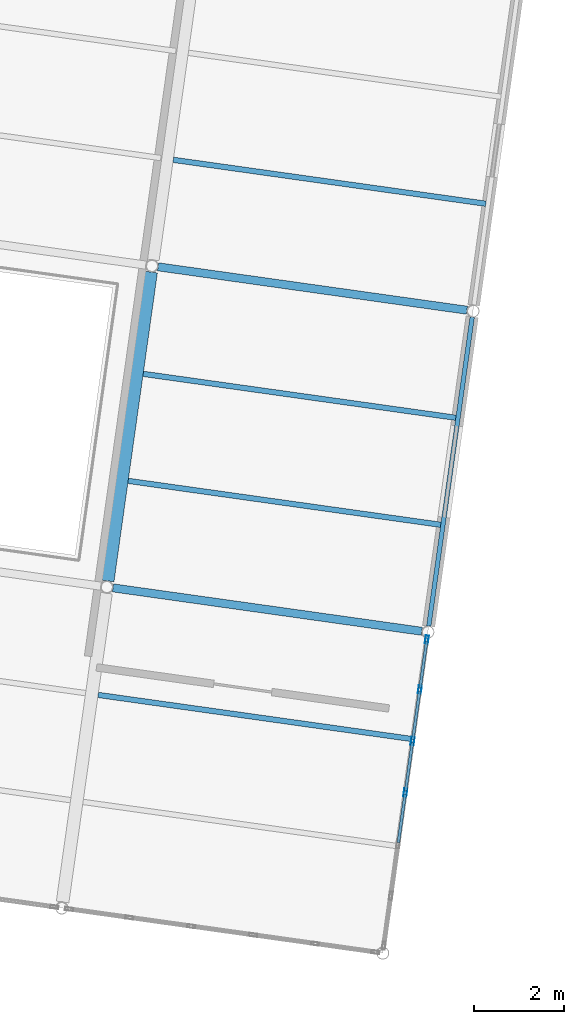
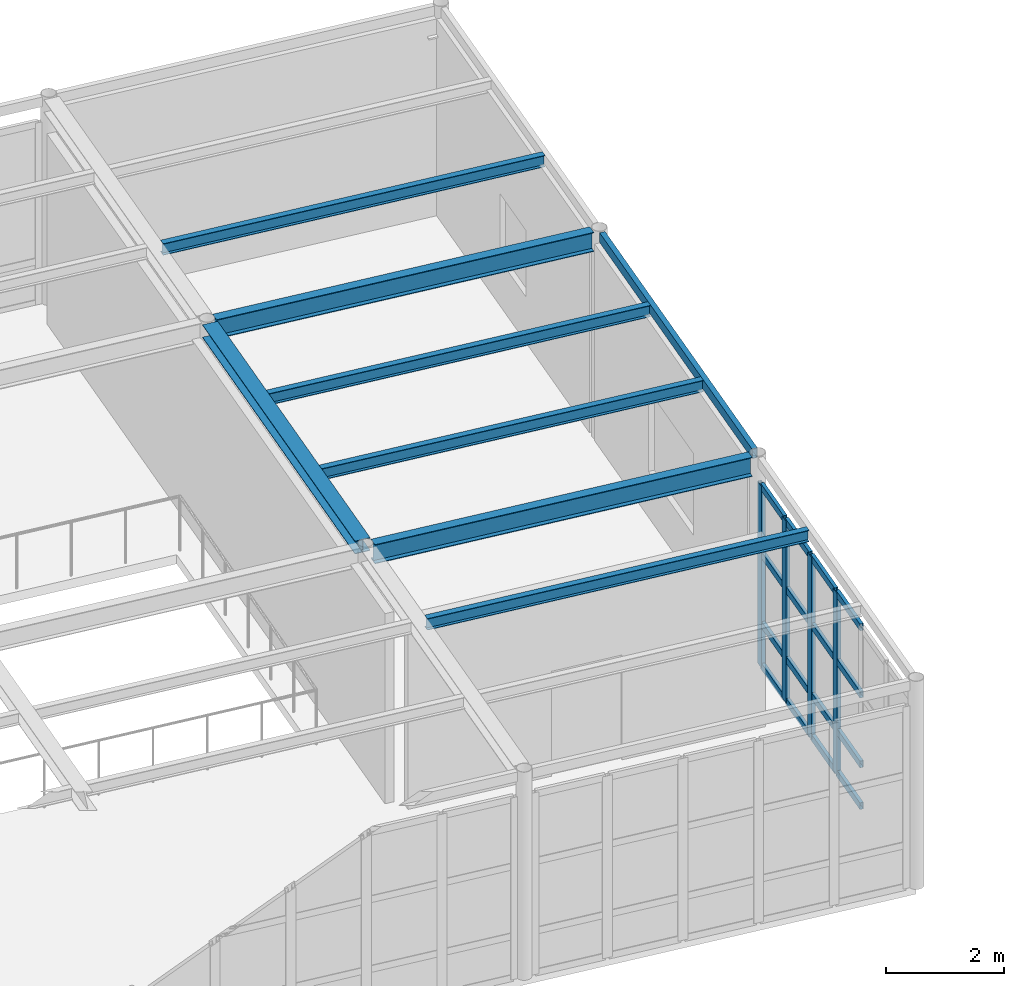
# One storey, part 25 of 67: 20 members, 8 beams, 1 element without a shape of its own.
"""IFC4 building model written with IfcOpenShell, lengths in metres."""

from ifc_helpers import new_model, si_unit, direction, frame, origin, origin_2d, place, context, subcontext, project, spatial, hollow_rectangle, i_section, extrude, material, layer, layer_set, material_profile, profile_set, type_object, element, aggregate, save


model = new_model("IFC4")

# Units and contexts
model_context = context("Model", 3, precision=1e-05, world=origin(), true_north=direction((0.0, 1.0)))
body_context = subcontext(model_context, "Body", "Model", "MODEL_VIEW")
ifc_project = project(units=[si_unit("LENGTHUNIT", "METRE"), si_unit("AREAUNIT", "SQUARE_METRE"), si_unit("VOLUMEUNIT", "CUBIC_METRE"), si_unit("PLANEANGLEUNIT", "RADIAN"), si_unit("MASSUNIT", "GRAM", prefix="KILO")], contexts=[model_context])

# Site, building, storey
site_placement = place(None, origin())
site = spatial("IfcSite", under=ifc_project, at=site_placement, CompositionType="ELEMENT")
building_placement = place(site_placement, origin())
building = spatial("IfcBuilding", under=site, at=building_placement, Name="Kharisveld Research Institute", CompositionType="ELEMENT")
storey_placement = place(building_placement, frame((0.0, 0.0, 9.60009765625)))
storey = spatial("IfcBuildingStorey", under=building, at=storey_placement, Name="L02", CompositionType="ELEMENT", Elevation=9.60009765625)

# Beams
ifc_material_1 = material(Name="Steel S355JR", Category="steel")
ifc_material_profile_1 = material_profile(ifc_material_1, i_section(OverallWidth=0.280029296875, OverallDepth=0.27001953125, WebThickness=0.008056640625, FlangeThickness=0.012939453125, at=origin_2d()))
ifc_profile_set_1 = profile_set([ifc_material_profile_1], Name="Steel S355JR")
beam_type_1 = type_object("IfcBeamType", Name="BM_ST_HEA280", PredefinedType="BEAM", material=ifc_profile_set_1)
beam_1_placement = place(storey_placement, frame((97.410888671875, 21.759033203125, 4.169921875), z_axis=(0.139180848611, 0.990266979849, 0.0), x_axis=(-0.990266979849, 0.139180848611, 0.0)))
element("IfcBeam", 1, at=beam_1_placement, inside=storey, type_object=beam_type_1, Name="BM:V4:L02:V3_1", PredefinedType="BEAM", context=body_context, shape_type="SweptSolid", body=[
    extrude(i_section(OverallWidth=0.280029296875, OverallDepth=0.27001953125, WebThickness=0.008056640625, FlangeThickness=0.012939453125, at=origin_2d()), origin(), (0.0, 0.0, 1.0), 6.927001953125),
])
ifc_material_2 = material(Name="Steel S355JR", Category="steel")
ifc_material_profile_2 = material_profile(ifc_material_2, i_section(OverallWidth=0.179931640625, OverallDepth=0.39990234375, WebThickness=0.008544921875, FlangeThickness=0.013427734375, at=origin_2d()))
ifc_profile_set_2 = profile_set([ifc_material_profile_2], Name="Steel S355JR")
beam_type_2 = type_object("IfcBeamType", Name="BM_ST_IPE400", PredefinedType="BEAM", material=ifc_profile_set_2)
beam_2_placement = place(storey_placement, frame((97.527099609375, 21.604736328125, 4.10498046875), z_axis=(0.99026629708, -0.139185706405, 0.0), x_axis=(0.139185706405, 0.99026629708, 0.0)))
element("IfcBeam", 2, at=beam_2_placement, inside=storey, type_object=beam_type_2, Name="BM:V4:L02:U3_1", PredefinedType="BEAM", context=body_context, shape_type="SweptSolid", body=[
    extrude(i_section(OverallWidth=0.179931640625, OverallDepth=0.39990234375, WebThickness=0.008544921875, FlangeThickness=0.013427734375, at=origin_2d()), origin(), (0.0, 0.0, 1.0), 6.9267578125),
])
beam_3_placement = place(storey_placement, frame((98.529052734375, 28.734619140625, 4.10498046875), z_axis=(0.990271836897, -0.13914628651, 0.0), x_axis=(0.13914628651, 0.990271836897, 0.0)))
element("IfcBeam", 3, at=beam_3_placement, inside=storey, type_object=beam_type_2, Name="BM:V4:L02:U3_2", PredefinedType="BEAM", context=body_context, shape_type="SweptSolid", body=[
    extrude(i_section(OverallWidth=0.179931640625, OverallDepth=0.39990234375, WebThickness=0.008544921875, FlangeThickness=0.013427734375, at=origin_2d()), origin(), (0.0, 0.0, 1.0), 6.927001953125),
])

# Curtain wall, members
ifc_material_3 = material(Name="Thermally Broken Aluminium Curtain Wall", Category="aluminium")
ifc_layer = layer(ifc_material_3, 0.159912109375)
ifc_layer_set = layer_set([ifc_layer], Name="CW_SYS_01")
curtain_wall_type = type_object("IfcCurtainWallType", Name="CW_SYS_01", PredefinedType="NOTDEFINED", material=ifc_layer_set)
curtain_wall_placement = place(storey_placement, origin())
curtain_wall = element("IfcCurtainWall", 4, at=curtain_wall_placement, inside=storey, type_object=curtain_wall_type, Name="CW:V4:L02:E1", PredefinedType="NOTDEFINED")
ifc_material_4 = material(Name="Anodised Aluminium AW-6063-T6", Category="aluminium")
ifc_material_profile_3 = material_profile(ifc_material_4, hollow_rectangle(XDim=0.070068359375, YDim=0.179931640625, WallThickness=0.00439453125, at=origin_2d()))
ifc_profile_set_3 = profile_set([ifc_material_profile_3], Name="Anodised Aluminium AW-6063-T6")
member_type_1 = type_object("IfcMemberType", Name="CW_MUL_180", PredefinedType="MULLION", material=ifc_profile_set_3)
member_1_placement = place(storey_placement, frame((104.49853515625, 20.456787109375, 0.0), z_axis=(0.0, 0.0, 1.0), x_axis=(0.990268046064, -0.139173262318, 0.0)))
member_1 = element("IfcMember", 5, at=member_1_placement, type_object=member_type_1, Name="CW-01 mullion 1", PredefinedType="MULLION", context=body_context, shape_type="SweptSolid", body=[
    extrude(hollow_rectangle(XDim=0.070068359375, YDim=0.179931640625, WallThickness=0.00439453125, at=origin_2d()), origin(), (0.0, 0.0, 1.0), 3.77978515625),
])
member_2_placement = place(storey_placement, frame((104.342529296875, 19.3466796875, 0.0), z_axis=(0.0, 0.0, 1.0), x_axis=(0.990268046064, -0.139173262318, 0.0)))
member_2 = element("IfcMember", 6, at=member_2_placement, type_object=member_type_1, Name="CW-01 mullion 2", PredefinedType="MULLION", context=body_context, shape_type="SweptSolid", body=[
    extrude(hollow_rectangle(XDim=0.070068359375, YDim=0.179931640625, WallThickness=0.00439453125, at=origin_2d()), origin(), (0.0, 0.0, 1.0), 3.77978515625),
])
member_3_placement = place(storey_placement, frame((104.181640625, 18.20166015625, 0.0), z_axis=(0.0, 0.0, 1.0), x_axis=(0.990268046064, -0.139173262318, 0.0)))
member_3 = element("IfcMember", 7, at=member_3_placement, type_object=member_type_1, Name="CW-01 mullion 3", PredefinedType="MULLION", context=body_context, shape_type="SweptSolid", body=[
    extrude(hollow_rectangle(XDim=0.070068359375, YDim=0.179931640625, WallThickness=0.00439453125, at=origin_2d()), origin(), (0.0, 0.0, 1.0), 3.77978515625),
])
member_4_placement = place(storey_placement, frame((104.020751953125, 17.056884765625, 0.0), z_axis=(0.0, 0.0, 1.0), x_axis=(0.990268046064, -0.139173262318, 0.0)))
member_4 = element("IfcMember", 8, at=member_4_placement, type_object=member_type_1, Name="CW-01 mullion 4", PredefinedType="MULLION", context=body_context, shape_type="SweptSolid", body=[
    extrude(hollow_rectangle(XDim=0.070068359375, YDim=0.179931640625, WallThickness=0.00439453125, at=origin_2d()), origin(), (0.0, 0.0, 1.0), 3.77978515625),
])
ifc_material_5 = material(Name="Anodised Aluminium AW-6063-T6", Category="aluminium")
ifc_material_profile_4 = material_profile(ifc_material_5, hollow_rectangle(XDim=0.06494140625, YDim=0.139892578125, WallThickness=0.00390625, at=origin_2d()))
ifc_profile_set_4 = profile_set([ifc_material_profile_4], Name="Anodised Aluminium AW-6063-T6")
member_type_2 = type_object("IfcMemberType", Name="CW_TRN_140", PredefinedType="USERDEFINED", material=ifc_profile_set_4)
member_5_placement = place(storey_placement, frame((104.49365234375, 20.422119140625, 0.032470703125), z_axis=(-0.139144494747, -0.990272088661, 0.0), x_axis=(0.990272088661, -0.139144494747, 0.0)))
member_5 = element("IfcMember", 9, at=member_5_placement, type_object=member_type_2, Name="CW-01 transom 1.1", ObjectType="TRANSOM", PredefinedType="USERDEFINED", context=body_context, shape_type="SweptSolid", body=[
    extrude(hollow_rectangle(XDim=0.06494140625, YDim=0.139892578125, WallThickness=0.00390625, at=origin_2d()), origin(), (0.0, 0.0, 1.0), 1.051025390625),
])
member_6_placement = place(storey_placement, frame((104.49365234375, 20.422119140625, 0.89990234375), z_axis=(-0.139144494747, -0.990272088661, 0.0), x_axis=(0.990272088661, -0.139144494747, 0.0)))
member_6 = element("IfcMember", 10, at=member_6_placement, type_object=member_type_2, Name="CW-01 transom 1.2", ObjectType="TRANSOM", PredefinedType="USERDEFINED", context=body_context, shape_type="SweptSolid", body=[
    extrude(hollow_rectangle(XDim=0.06494140625, YDim=0.139892578125, WallThickness=0.00390625, at=origin_2d()), origin(), (0.0, 0.0, 1.0), 1.051025390625),
])
member_7_placement = place(storey_placement, frame((104.49365234375, 20.422119140625, 2.349853515625), z_axis=(-0.139144494747, -0.990272088661, 0.0), x_axis=(0.990272088661, -0.139144494747, 0.0)))
member_7 = element("IfcMember", 11, at=member_7_placement, type_object=member_type_2, Name="CW-01 transom 1.3", ObjectType="TRANSOM", PredefinedType="USERDEFINED", context=body_context, shape_type="SweptSolid", body=[
    extrude(hollow_rectangle(XDim=0.06494140625, YDim=0.139892578125, WallThickness=0.00390625, at=origin_2d()), origin(), (0.0, 0.0, 1.0), 1.051025390625),
])
member_8_placement = place(storey_placement, frame((104.49365234375, 20.422119140625, 3.747314453125), z_axis=(-0.139144494747, -0.990272088661, 0.0), x_axis=(0.990272088661, -0.139144494747, 0.0)))
member_8 = element("IfcMember", 12, at=member_8_placement, type_object=member_type_2, Name="CW-01 transom 1.4", ObjectType="TRANSOM", PredefinedType="USERDEFINED", context=body_context, shape_type="SweptSolid", body=[
    extrude(hollow_rectangle(XDim=0.06494140625, YDim=0.139892578125, WallThickness=0.00390625, at=origin_2d()), origin(), (0.0, 0.0, 1.0), 1.051025390625),
])
member_9_placement = place(storey_placement, frame((104.337646484375, 19.31201171875, 0.032470703125), z_axis=(-0.139123969132, -0.990274972527, 0.0), x_axis=(0.990274972527, -0.139123969132, 0.0)))
member_9 = element("IfcMember", 13, at=member_9_placement, type_object=member_type_2, Name="CW-01 transom 2.1", ObjectType="TRANSOM", PredefinedType="USERDEFINED", context=body_context, shape_type="SweptSolid", body=[
    extrude(hollow_rectangle(XDim=0.06494140625, YDim=0.139892578125, WallThickness=0.00390625, at=origin_2d()), origin(), (0.0, 0.0, 1.0), 1.086181640625),
])
member_10_placement = place(storey_placement, frame((104.337646484375, 19.31201171875, 0.89990234375), z_axis=(-0.139123969132, -0.990274972527, 0.0), x_axis=(0.990274972527, -0.139123969132, 0.0)))
member_10 = element("IfcMember", 14, at=member_10_placement, type_object=member_type_2, Name="CW-01 transom 2.2", ObjectType="TRANSOM", PredefinedType="USERDEFINED", context=body_context, shape_type="SweptSolid", body=[
    extrude(hollow_rectangle(XDim=0.06494140625, YDim=0.139892578125, WallThickness=0.00390625, at=origin_2d()), origin(), (0.0, 0.0, 1.0), 1.086181640625),
])
member_11_placement = place(storey_placement, frame((104.337646484375, 19.31201171875, 2.349853515625), z_axis=(-0.139123969132, -0.990274972527, 0.0), x_axis=(0.990274972527, -0.139123969132, 0.0)))
member_11 = element("IfcMember", 15, at=member_11_placement, type_object=member_type_2, Name="CW-01 transom 2.3", ObjectType="TRANSOM", PredefinedType="USERDEFINED", context=body_context, shape_type="SweptSolid", body=[
    extrude(hollow_rectangle(XDim=0.06494140625, YDim=0.139892578125, WallThickness=0.00390625, at=origin_2d()), origin(), (0.0, 0.0, 1.0), 1.086181640625),
])
member_12_placement = place(storey_placement, frame((104.337646484375, 19.31201171875, 3.747314453125), z_axis=(-0.139123969132, -0.990274972527, 0.0), x_axis=(0.990274972527, -0.139123969132, 0.0)))
member_12 = element("IfcMember", 16, at=member_12_placement, type_object=member_type_2, Name="CW-01 transom 2.4", ObjectType="TRANSOM", PredefinedType="USERDEFINED", context=body_context, shape_type="SweptSolid", body=[
    extrude(hollow_rectangle(XDim=0.06494140625, YDim=0.139892578125, WallThickness=0.00390625, at=origin_2d()), origin(), (0.0, 0.0, 1.0), 1.086181640625),
])
member_13_placement = place(storey_placement, frame((104.1767578125, 18.1669921875, 0.032470703125), z_axis=(-0.139154940814, -0.990270620814, 0.0), x_axis=(0.990270620814, -0.139154940814, 0.0)))
member_13 = element("IfcMember", 17, at=member_13_placement, type_object=member_type_2, Name="CW-01 transom 3.1", ObjectType="TRANSOM", PredefinedType="USERDEFINED", context=body_context, shape_type="SweptSolid", body=[
    extrude(hollow_rectangle(XDim=0.06494140625, YDim=0.139892578125, WallThickness=0.00390625, at=origin_2d()), origin(), (0.0, 0.0, 1.0), 1.0859375),
])
member_14_placement = place(storey_placement, frame((104.1767578125, 18.1669921875, 0.89990234375), z_axis=(-0.139154940814, -0.990270620814, 0.0), x_axis=(0.990270620814, -0.139154940814, 0.0)))
member_14 = element("IfcMember", 18, at=member_14_placement, type_object=member_type_2, Name="CW-01 transom 3.2", ObjectType="TRANSOM", PredefinedType="USERDEFINED", context=body_context, shape_type="SweptSolid", body=[
    extrude(hollow_rectangle(XDim=0.06494140625, YDim=0.139892578125, WallThickness=0.00390625, at=origin_2d()), origin(), (0.0, 0.0, 1.0), 1.0859375),
])
member_15_placement = place(storey_placement, frame((104.1767578125, 18.1669921875, 2.349853515625), z_axis=(-0.139154940814, -0.990270620814, 0.0), x_axis=(0.990270620814, -0.139154940814, 0.0)))
member_15 = element("IfcMember", 19, at=member_15_placement, type_object=member_type_2, Name="CW-01 transom 3.3", ObjectType="TRANSOM", PredefinedType="USERDEFINED", context=body_context, shape_type="SweptSolid", body=[
    extrude(hollow_rectangle(XDim=0.06494140625, YDim=0.139892578125, WallThickness=0.00390625, at=origin_2d()), origin(), (0.0, 0.0, 1.0), 1.0859375),
])
member_16_placement = place(storey_placement, frame((104.1767578125, 18.1669921875, 3.747314453125), z_axis=(-0.139154940814, -0.990270620814, 0.0), x_axis=(0.990270620814, -0.139154940814, 0.0)))
member_16 = element("IfcMember", 20, at=member_16_placement, type_object=member_type_2, Name="CW-01 transom 3.4", ObjectType="TRANSOM", PredefinedType="USERDEFINED", context=body_context, shape_type="SweptSolid", body=[
    extrude(hollow_rectangle(XDim=0.06494140625, YDim=0.139892578125, WallThickness=0.00390625, at=origin_2d()), origin(), (0.0, 0.0, 1.0), 1.0859375),
])
member_17_placement = place(storey_placement, frame((104.015869140625, 17.022216796875, 0.032470703125), z_axis=(-0.139123969132, -0.990274972527, 0.0), x_axis=(0.990274972527, -0.139123969132, 0.0)))
member_17 = element("IfcMember", 21, at=member_17_placement, type_object=member_type_2, Name="CW-01 transom 4.1", ObjectType="TRANSOM", PredefinedType="USERDEFINED", context=body_context, shape_type="SweptSolid", body=[
    extrude(hollow_rectangle(XDim=0.06494140625, YDim=0.139892578125, WallThickness=0.00390625, at=origin_2d()), origin(), (0.0, 0.0, 1.0), 1.086181640625),
])
member_18_placement = place(storey_placement, frame((104.015869140625, 17.022216796875, 0.89990234375), z_axis=(-0.139123969132, -0.990274972527, 0.0), x_axis=(0.990274972527, -0.139123969132, 0.0)))
member_18 = element("IfcMember", 22, at=member_18_placement, type_object=member_type_2, Name="CW-01 transom 4.2", ObjectType="TRANSOM", PredefinedType="USERDEFINED", context=body_context, shape_type="SweptSolid", body=[
    extrude(hollow_rectangle(XDim=0.06494140625, YDim=0.139892578125, WallThickness=0.00390625, at=origin_2d()), origin(), (0.0, 0.0, 1.0), 1.086181640625),
])
member_19_placement = place(storey_placement, frame((104.015869140625, 17.022216796875, 2.349853515625), z_axis=(-0.139123969132, -0.990274972527, 0.0), x_axis=(0.990274972527, -0.139123969132, 0.0)))
member_19 = element("IfcMember", 23, at=member_19_placement, type_object=member_type_2, Name="CW-01 transom 4.3", ObjectType="TRANSOM", PredefinedType="USERDEFINED", context=body_context, shape_type="SweptSolid", body=[
    extrude(hollow_rectangle(XDim=0.06494140625, YDim=0.139892578125, WallThickness=0.00390625, at=origin_2d()), origin(), (0.0, 0.0, 1.0), 1.086181640625),
])
member_20_placement = place(storey_placement, frame((104.015869140625, 17.022216796875, 3.747314453125), z_axis=(-0.139123969132, -0.990274972527, 0.0), x_axis=(0.990274972527, -0.139123969132, 0.0)))
member_20 = element("IfcMember", 24, at=member_20_placement, type_object=member_type_2, Name="CW-01 transom 4.4", ObjectType="TRANSOM", PredefinedType="USERDEFINED", context=body_context, shape_type="SweptSolid", body=[
    extrude(hollow_rectangle(XDim=0.06494140625, YDim=0.139892578125, WallThickness=0.00390625, at=origin_2d()), origin(), (0.0, 0.0, 1.0), 1.086181640625),
])
aggregate(curtain_wall, [member_1, member_2, member_3, member_4, member_5, member_6, member_7, member_8, member_9, member_10, member_11, member_12, member_13, member_14, member_15, member_16, member_17, member_18, member_19, member_20])

# Beams
ifc_material_6 = material(Name="Steel S355JR", Category="steel")
ifc_material_profile_5 = material_profile(ifc_material_6, i_section(OverallWidth=0.1201171875, OverallDepth=0.239990234375, WebThickness=0.006103515625, FlangeThickness=0.009765625, at=origin_2d()))
ifc_profile_set_5 = profile_set([ifc_material_profile_5], Name="Steel S355JR")
beam_type_3 = type_object("IfcBeamType", Name="JS_ST_IPE240", PredefinedType="JOIST", material=ifc_profile_set_5)
beam_4_placement = place(storey_placement, frame((97.196533203125, 19.227783203125, 4.184814453125), z_axis=(0.990263256462, -0.139207337814, 0.0), x_axis=(0.139207337814, 0.990263256462, 0.0)))
element("IfcBeam", 25, at=beam_4_placement, inside=storey, type_object=beam_type_3, Name="BM:V4:L02:J_3_0_R2", PredefinedType="JOIST", context=body_context, shape_type="SweptSolid", body=[
    extrude(i_section(OverallWidth=0.1201171875, OverallDepth=0.239990234375, WebThickness=0.006103515625, FlangeThickness=0.009765625, at=origin_2d()), origin(), (0.0, 0.0, 1.0), 7.010009765625),
])
beam_5_placement = place(storey_placement, frame((97.864501953125, 23.98095703125, 4.184814453125), z_axis=(0.990268056996, -0.139173184531, 0.0), x_axis=(0.139173184531, 0.990268056996, 0.0)))
element("IfcBeam", 26, at=beam_5_placement, inside=storey, type_object=beam_type_3, Name="BM:V4:L02:J_3_1_R1", PredefinedType="JOIST", context=body_context, shape_type="SweptSolid", body=[
    extrude(i_section(OverallWidth=0.1201171875, OverallDepth=0.239990234375, WebThickness=0.006103515625, FlangeThickness=0.009765625, at=origin_2d()), origin(), (0.0, 0.0, 1.0), 7.009765625),
])
for number, where, z_axis, x_axis, name in (
    (27, (98.198486328125, 26.357666015625, 4.184814453125), (0.990268731554, -0.139168384726, 0.0), (0.139168384726, 0.990268731554, 0.0), "BM:V4:L02:J_3_1_R2"),
    (28, (98.866455078125, 31.11083984375, 4.184814453125), (0.990268731554, -0.139168384726, 0.0), (0.139168384726, 0.990268731554, 0.0), "BM:V4:L02:J_3_2_R1"),
):
    element("IfcBeam", number, at=place(storey_placement, frame(where, z_axis=z_axis, x_axis=x_axis)), inside=storey, type_object=beam_type_3, Name=name, PredefinedType="JOIST", context=body_context, shape_type="SweptSolid", body=[
        extrude(i_section(OverallWidth=0.1201171875, OverallDepth=0.239990234375, WebThickness=0.006103515625, FlangeThickness=0.009765625, at=origin_2d()), origin(), (0.0, 0.0, 1.0), 7.010009765625),
    ])
ifc_material_7 = material(Name="Steel S355J2H", Category="steel")
ifc_material_profile_6 = material_profile(ifc_material_7, hollow_rectangle(XDim=0.10009765625, YDim=0.199951171875, WallThickness=0.008056640625, at=origin_2d()))
ifc_profile_set_6 = profile_set([ifc_material_profile_6], Name="Steel S355J2H")
beam_type_4 = type_object("IfcBeamType", Name="SP_ST_RHS200", PredefinedType="SPANDREL", material=ifc_profile_set_6)
beam_6_placement = place(storey_placement, frame((104.540771484375, 20.7568359375, 4.204833984375), z_axis=(0.139180848611, 0.990266979849, 0.0), x_axis=(-0.990266979849, 0.139180848611, 0.0)))
element("IfcBeam", 29, at=beam_6_placement, inside=storey, type_object=beam_type_4, Name="BM:V4:L02:V4_1", PredefinedType="SPANDREL", context=body_context, shape_type="SweptSolid", body=[
    extrude(hollow_rectangle(XDim=0.10009765625, YDim=0.199951171875, WallThickness=0.008056640625, at=origin_2d()), origin(), (0.0, 0.0, 1.0), 6.927001953125),
])

save(model, "model.ifc")
